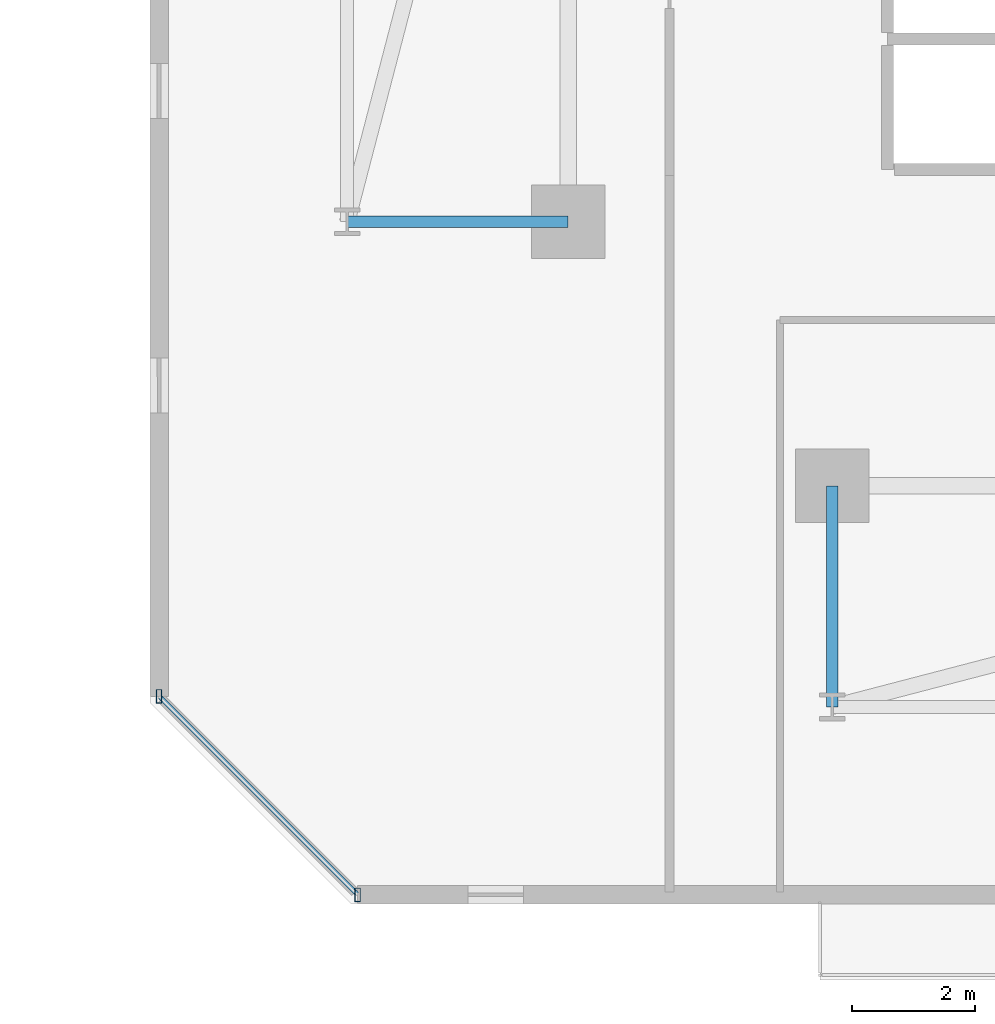
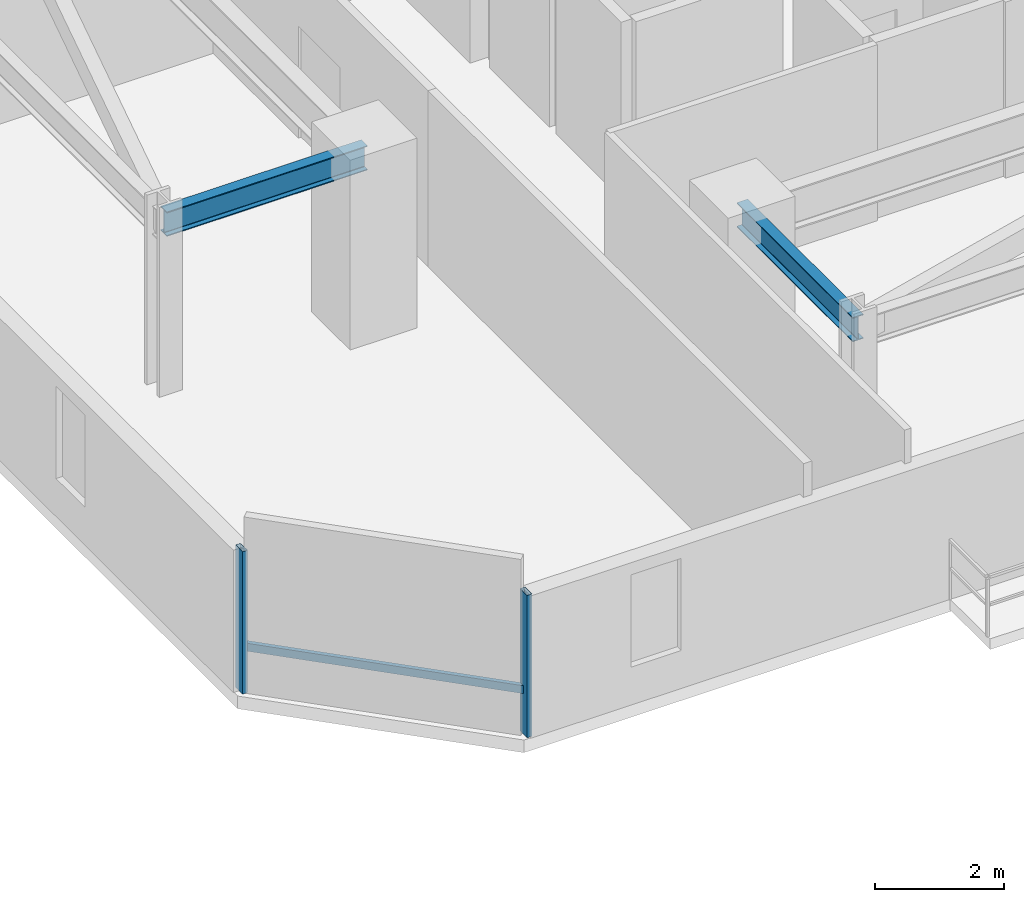
# One storey, part 11 of 33: 3 members, 2 beams, 1 element without a shape of its own.
"""IFC4 building model written with IfcOpenShell, lengths in metres."""

import ifcopenshell
import ifcopenshell.guid

model = None  # the IFC model being written
_history = None  # IfcOwnerHistory: only IFC2X3 demands one
_inside = {}  # id of a spatial element -> (the spatial element, [elements in it])
_under = {}  # id of a project, library or spatial element -> (it, [spatial elements below it])
_declared = {}  # id of a project -> (the project, [libraries it declares])
_typed = {}  # id of a type object -> (the type object, [elements of that type])
_made_of = {}  # id of a material, layer set ... -> (it, [elements and type objects made of it])


def new_model(schema):
    """Start an empty IFC model of exactly this schema.

    Asked for "IFC4X3", IfcOpenShell would pick the latest addendum, in which some entities
    have other attributes; the version numbers below select the first issue.
    IFC2X3 requires an IfcOwnerHistory on every rooted entity: one is made here for all.
    """
    global model, _history
    if schema == "IFC4X3":
        model = ifcopenshell.file(schema_version=(4, 3, 0, 0))
    else:
        model = ifcopenshell.file(schema=schema)
    _inside.clear()
    _under.clear()
    _declared.clear()
    _typed.clear()
    _made_of.clear()
    _history = None
    if model.schema == "IFC2X3":
        org = make("IfcOrganization", Name="unknown")
        user = make(
            "IfcPersonAndOrganization",
            ThePerson=make("IfcPerson", FamilyName="unknown"),
            TheOrganization=org,
        )
        app = make(
            "IfcApplication",
            ApplicationDeveloper=org,
            Version="unknown",
            ApplicationFullName="unknown",
            ApplicationIdentifier="unknown",
        )
        _history = make(
            "IfcOwnerHistory",
            OwningUser=user,
            OwningApplication=app,
            ChangeAction="ADDED",
            CreationDate=0,
        )
    return model


def make(cls, **values):
    """One entity of the class cls with the attributes given. An attribute that is None is left unset."""
    return model.create_entity(
        cls, **{name: value for name, value in values.items() if value is not None}
    )


def rooted(cls, **values):
    """An entity with a GlobalId (a new one), such as an element, a storey or a relation."""
    return make(cls, GlobalId=ifcopenshell.guid.new(), OwnerHistory=_history, **values)


def si_unit(unit_type, name, prefix=None):
    """IfcSIUnit, for example si_unit("LENGTHUNIT", "METRE", prefix="MILLI")."""
    return make("IfcSIUnit", UnitType=unit_type, Prefix=prefix, Name=name)


def assignment(units):
    """IfcUnitAssignment: the units of a project."""
    return None if units is None else make("IfcUnitAssignment", Units=units)


def point(xyz):
    """IfcCartesianPoint."""
    return None if xyz is None else make("IfcCartesianPoint", Coordinates=xyz)


def direction(xyz):
    """IfcDirection."""
    return None if xyz is None else make("IfcDirection", DirectionRatios=xyz)


def frame(location, z_axis=None, x_axis=None):
    """IfcAxis2Placement3D, a coordinate frame: its origin and axes. An axis left out is left unset."""
    return make(
        "IfcAxis2Placement3D",
        Location=point(location),
        Axis=direction(z_axis),
        RefDirection=direction(x_axis),
    )


def frame_2d(location, x_axis=None):
    """IfcAxis2Placement2D, a coordinate frame in the plane: its origin and x axis."""
    return make(
        "IfcAxis2Placement2D", Location=point(location), RefDirection=direction(x_axis)
    )


def origin():
    """The frame at (0, 0, 0) with its axes left unset."""
    return frame((0.0, 0.0, 0.0))


def origin_2d():
    """The frame at (0, 0) in the plane with its x axis left unset."""
    return frame_2d((0.0, 0.0))


def place(relative_to, where):
    """IfcLocalPlacement: puts the frame where relative to a parent placement (None: the world)."""
    return make(
        "IfcLocalPlacement", PlacementRelTo=relative_to, RelativePlacement=where
    )


def context(
    kind, dimensions, precision=None, world=None, true_north=None, identifier=None
):
    """IfcGeometricRepresentationContext, for example the 3D "Model" context."""
    return make(
        "IfcGeometricRepresentationContext",
        ContextIdentifier=identifier,
        ContextType=kind,
        CoordinateSpaceDimension=dimensions,
        Precision=precision,
        WorldCoordinateSystem=world,
        TrueNorth=true_north,
    )


def subcontext(parent, identifier, kind, view, scale=None):
    """IfcGeometricRepresentationSubContext, for example "Body" below "Model"."""
    return make(
        "IfcGeometricRepresentationSubContext",
        ContextIdentifier=identifier,
        ContextType=kind,
        ParentContext=parent,
        TargetScale=scale,
        TargetView=view,
    )


def project(units=None, contexts=None):
    """IfcProject with its units and contexts."""
    return rooted(
        "IfcProject",
        Name="project",
        RepresentationContexts=contexts,
        UnitsInContext=assignment(units),
    )


def spatial(cls, under=None, at=None, **own):
    """A site, building, storey or space (cls), placed at a placement, below another one or the project."""
    s = rooted(cls, ObjectPlacement=at, **own)
    if under is not None:
        _under.setdefault(under.id(), (under, []))[1].append(s)
    return s


def profile(cls, at=None, kind="AREA", **sizes):
    """A parametric profile (cls). Its sizes go by their IFC names, for example OverallWidth=200.0."""
    return make(cls, ProfileType=kind, Position=at, **sizes)


def hollow_rectangle(**sizes):
    """IfcRectangleHollowProfileDef."""
    return profile("IfcRectangleHollowProfileDef", **sizes)


def i_section(**sizes):
    """IfcIShapeProfileDef."""
    return profile("IfcIShapeProfileDef", **sizes)


def extrude(swept, where, along, depth):
    """IfcExtrudedAreaSolid: the profile swept, set in the frame where, extruded along a direction by depth."""
    return make(
        "IfcExtrudedAreaSolid",
        SweptArea=swept,
        Position=where,
        ExtrudedDirection=direction(along),
        Depth=depth,
    )


def shape(context_of_items, identifier, shape_type, items):
    """IfcShapeRepresentation: the items that make up one representation, for example the "Body"."""
    return make(
        "IfcShapeRepresentation",
        ContextOfItems=context_of_items,
        RepresentationIdentifier=identifier,
        RepresentationType=shape_type,
        Items=items,
    )


def material(Name=None, Category=None):
    """IfcMaterial."""
    return make("IfcMaterial", Name=Name, Category=Category)


def material_profile(
    of_material, cross_section, Name=None, Category=None, Priority=None
):
    """IfcMaterialProfile: a cross section and its material."""
    return make(
        "IfcMaterialProfile",
        Name=Name,
        Material=of_material,
        Profile=cross_section,
        Priority=Priority,
        Category=Category,
    )


def profile_set(profiles, Name=None, composite=None):
    """IfcMaterialProfileSet."""
    return make(
        "IfcMaterialProfileSet",
        Name=Name,
        MaterialProfiles=profiles,
        CompositeProfile=composite,
    )


def made_of(thing, what):
    """Note that an element or type object is made of a material, layer set ...; save() writes the relation."""
    if what is not None:
        _made_of.setdefault(what.id(), (what, []))[1].append(thing)
    return thing


def type_object(cls, material=None, **own):
    """A type object (cls), such as IfcWallType, which elements share."""
    return made_of(rooted(cls, **own), material)


def element(
    cls,
    number,
    at=None,
    inside=None,
    cuts=None,
    type_object=None,
    material=None,
    context=None,
    identifier="Body",
    shape_type=None,
    held_by="IfcProductDefinitionShape",
    body=None,
    shapes=None,
    **own,
):
    """One element of the class cls, such as IfcWall. Its Tag is "e" and its number.

    at: its placement. inside: the storey or other place that contains it. cuts: it is an
    opening in that element (IfcRelVoidsElement). A single representation is given by context,
    identifier, shape_type and body (its items); several are given by shapes. held_by: the class
    of the entity that holds the representations. save() writes the other relations.
    """
    e = rooted(cls, Tag="e%d" % number, ObjectPlacement=at, **own)
    if body is not None:
        shapes = [shape(context, identifier, shape_type, body)]
    if shapes is not None:
        e.Representation = make(held_by, Representations=shapes)
    if inside is not None:
        _inside.setdefault(inside.id(), (inside, []))[1].append(e)
    if cuts is not None:
        rooted(
            "IfcRelVoidsElement", RelatingBuildingElement=cuts, RelatedOpeningElement=e
        )
    if type_object is not None:
        _typed.setdefault(type_object.id(), (type_object, []))[1].append(e)
    return made_of(e, material)


def aggregate(whole, parts):
    """IfcRelAggregates: a whole, such as a stair, and the parts it consists of."""
    return rooted("IfcRelAggregates", RelatingObject=whole, RelatedObjects=parts)


def save(model, path):
    """Write the relations noted so far, then the file.

    IfcRelAggregates (storeys below a building ...), IfcRelContainedInSpatialStructure (elements
    in a storey), IfcRelDefinesByType, IfcRelAssociatesMaterial and IfcRelDeclares: one each for
    every whole, place, type object, material and project.
    """
    for whole, parts in _under.values():
        aggregate(whole, parts)
    for where, things in _inside.values():
        rooted(
            "IfcRelContainedInSpatialStructure",
            RelatedElements=things,
            RelatingStructure=where,
        )
    for kind, things in _typed.values():
        rooted("IfcRelDefinesByType", RelatedObjects=things, RelatingType=kind)
    for what, things in _made_of.values():
        rooted("IfcRelAssociatesMaterial", RelatedObjects=things, RelatingMaterial=what)
    for by, libraries in _declared.values():
        rooted("IfcRelDeclares", RelatingContext=by, RelatedDefinitions=libraries)
    model.write(path)


model = new_model("IFC4")

# Units and contexts
model_context = context("Model", 3, precision=1e-05, world=origin(), true_north=direction((0.0, 1.0)))
body_context = subcontext(model_context, "Body", "Model", "MODEL_VIEW")
ifc_project = project(units=[si_unit("LENGTHUNIT", "METRE"), si_unit("AREAUNIT", "SQUARE_METRE"), si_unit("VOLUMEUNIT", "CUBIC_METRE"), si_unit("PLANEANGLEUNIT", "RADIAN"), si_unit("MASSUNIT", "GRAM", prefix="KILO")], contexts=[model_context])

# Site, building, storey
site_placement = place(None, origin())
site = spatial("IfcSite", under=ifc_project, at=site_placement, CompositionType="ELEMENT")
building_placement = place(site_placement, origin())
building = spatial("IfcBuilding", under=site, at=building_placement, Name="Thornwick Lancets Civic Towers", CompositionType="ELEMENT")
storey_placement = place(building_placement, frame((0.0, 0.0, 108.89990234375)))
storey = spatial("IfcBuildingStorey", under=building, at=storey_placement, Name="L28", CompositionType="ELEMENT", Elevation=108.89990234375)

# Beams
ifc_material_1 = material(Name="Steel S355JR", Category="steel")
ifc_material_profile_1 = material_profile(ifc_material_1, i_section(OverallWidth=0.19189453125, OverallDepth=0.46337890625, WebThickness=0.010498046875, FlangeThickness=0.017578125, FilletRadius=0.01025390625, at=origin_2d()), Name="UKB 457x191x89")
ifc_profile_set_1 = profile_set([ifc_material_profile_1], Name="Steel S355JR")
beam_type = type_object("IfcBeamType", Name="BM_JOIST_457_89", PredefinedType="JOIST", material=ifc_profile_set_1)
for number, where, z_axis, x_axis, name in (
    (1, (71.199951171875, 14.0, 3.12841796875), (-1.0, 0.0, 0.0), (0.0, -1.0, 0.0), "BM-RAD-L28-B07"),
    (2, (75.5, 9.699951171875, 3.12841796875), (0.0, -1.0, 0.0), (1.0, 0.0, 0.0), "BM-RAD-L28-B12"),
):
    element("IfcBeam", number, at=place(storey_placement, frame(where, z_axis=z_axis, x_axis=x_axis)), inside=storey, type_object=beam_type, Name=name, PredefinedType="JOIST", context=body_context, shape_type="SweptSolid", body=[
        extrude(i_section(OverallWidth=0.19189453125, OverallDepth=0.46337890625, WebThickness=0.010498046875, FlangeThickness=0.017578125, FilletRadius=0.01025390625, at=origin_2d()), origin(), (0.0, 0.0, 1.0), 3.599853515625),
    ])

# Curtain wall, members
ifc_material_2 = material(Name="Low-zone chamfered-corner unitised glass curtain wall", Category="glass")
curtain_wall_type = type_object("IfcCurtainWallType", Name="CW_SYS_03", PredefinedType="NOTDEFINED", material=ifc_material_2)
curtain_wall_placement = place(storey_placement, origin())
curtain_wall = element("IfcCurtainWall", 3, at=curtain_wall_placement, inside=storey, type_object=curtain_wall_type, Name="L28 Curtain Wall CW-L28-B-E7", PredefinedType="NOTDEFINED")
ifc_material_3 = material(Name="Thermally broken bronze aluminium S355", Category="steel")
ifc_material_profile_2 = material_profile(ifc_material_3, hollow_rectangle(XDim=0.090087890625, YDim=0.219970703125, WallThickness=0.00634765625, at=origin_2d()), Name="RHS 220x90x6.3")
ifc_profile_set_2 = profile_set([ifc_material_profile_2], Name="Thermally broken bronze aluminium S355")
member_type_1 = type_object("IfcMemberType", Name="CW_MUL_220", PredefinedType="MULLION", material=ifc_profile_set_2)
member_1_placement = place(storey_placement, frame((64.537353515625, 6.271240234375, 0.0), z_axis=(0.0, 0.0, 1.0), x_axis=(1.0, 0.0, 0.0)))
member_1 = element("IfcMember", 4, at=member_1_placement, type_object=member_type_1, Name="CW-L28-B-E7 Mullion 0", PredefinedType="MULLION", context=body_context, shape_type="SweptSolid", body=[
    extrude(hollow_rectangle(XDim=0.090087890625, YDim=0.219970703125, WallThickness=0.00634765625, at=origin_2d()), origin(), (0.0, 0.0, 1.0), 2.7001953125),
])
member_2_placement = place(storey_placement, frame((67.771240234375, 3.037353515625, 0.0), z_axis=(0.0, 0.0, 1.0), x_axis=(1.0, 0.0, 0.0)))
member_2 = element("IfcMember", 5, at=member_2_placement, type_object=member_type_1, Name="CW-L28-B-E7 Mullion 1", PredefinedType="MULLION", context=body_context, shape_type="SweptSolid", body=[
    extrude(hollow_rectangle(XDim=0.090087890625, YDim=0.219970703125, WallThickness=0.00634765625, at=origin_2d()), origin(), (0.0, 0.0, 1.0), 2.7001953125),
])
ifc_material_profile_3 = material_profile(ifc_material_3, hollow_rectangle(XDim=0.074951171875, YDim=0.14990234375, WallThickness=0.0048828125, at=origin_2d()), Name="RHS 150x75x5")
ifc_profile_set_3 = profile_set([ifc_material_profile_3], Name="Thermally broken bronze aluminium S355")
member_type_2 = type_object("IfcMemberType", Name="CW_TRN_150", PredefinedType="USERDEFINED", material=ifc_profile_set_3)
member_3_placement = place(storey_placement, frame((64.551513671875, 6.257080078125, 0.85009765625), z_axis=(0.707106781187, -0.707106781187, 0.0), x_axis=(0.707106781187, 0.707106781187, 0.0)))
member_3 = element("IfcMember", 6, at=member_3_placement, type_object=member_type_2, Name="CW-L28-B-E7 Transom 0", ObjectType="TRANSOM", PredefinedType="USERDEFINED", context=body_context, shape_type="SweptSolid", body=[
    extrude(hollow_rectangle(XDim=0.074951171875, YDim=0.14990234375, WallThickness=0.0048828125, at=origin_2d()), origin(), (0.0, 0.0, 1.0), 4.533447265625),
])
aggregate(curtain_wall, [member_1, member_2, member_3])

save(model, "model.ifc")
